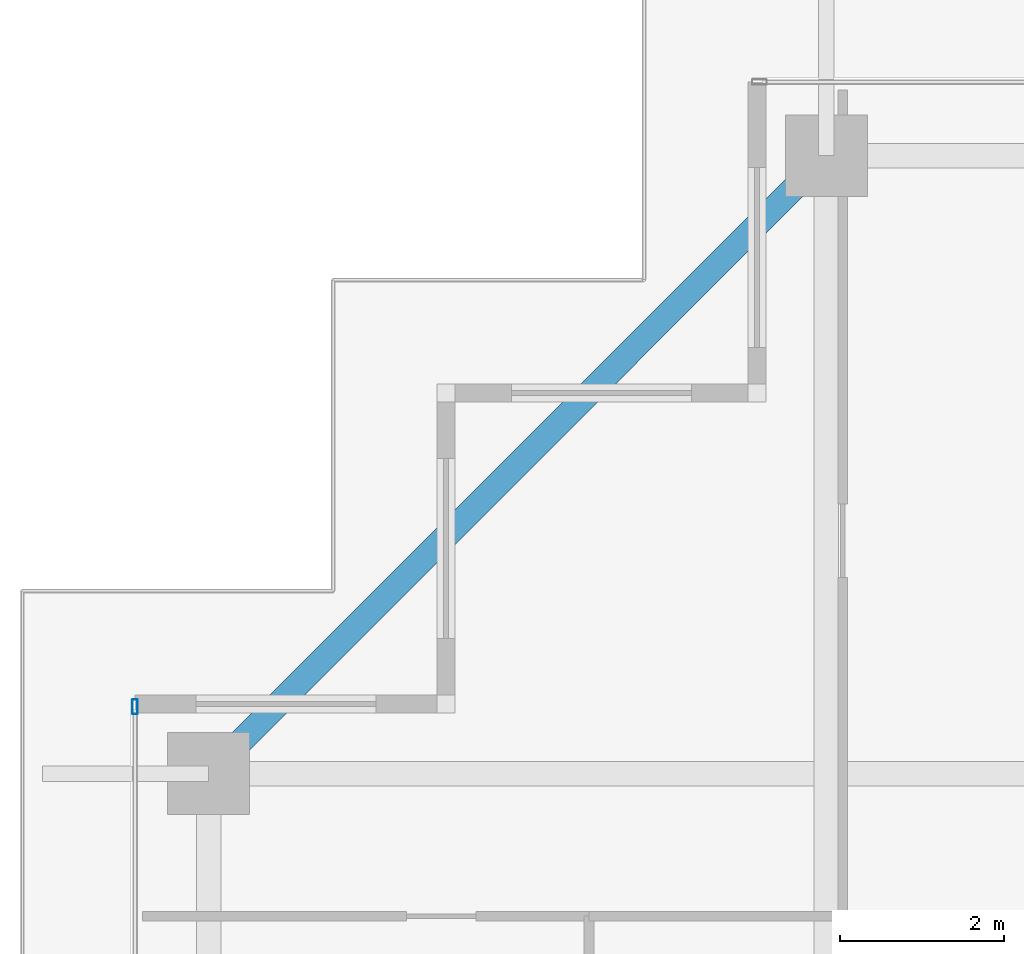
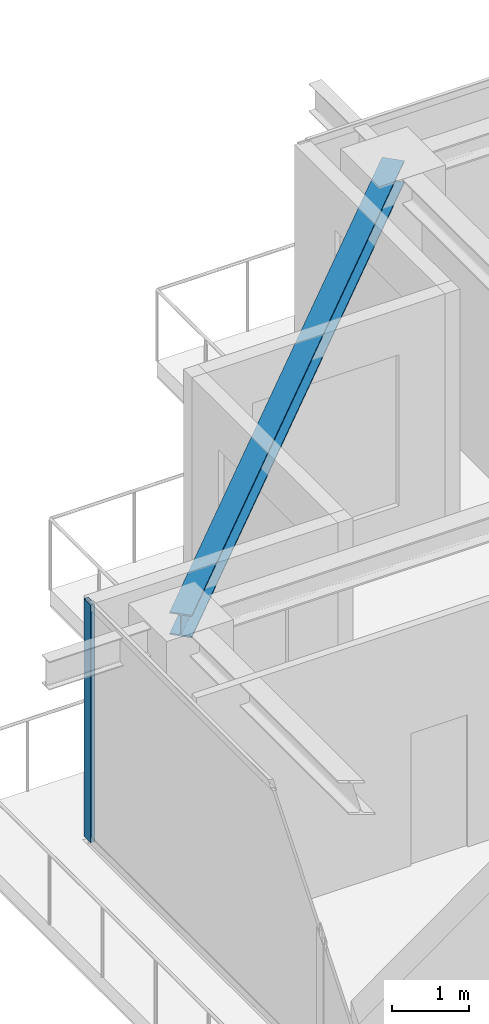
# One storey, part 21 of 42: 1 beam, 1 member, 1 element without a shape of its own.
"""IFC4 building model written with IfcOpenShell, lengths in metres."""

from ifc_helpers import new_model, si_unit, direction, frame, origin, origin_2d, place, context, subcontext, project, spatial, hollow_rectangle, i_section, extrude, source, transform, mapped, material, layer, layer_set, material_profile, profile_set, type_object, element, aggregate, save


model = new_model("IFC4")

# Units and contexts
model_context = context("Model", 3, precision=1e-05, world=origin(), true_north=direction((0.0, 1.0)))
body_context = subcontext(model_context, "Body", "Model", "MODEL_VIEW")
ifc_project = project(units=[si_unit("LENGTHUNIT", "METRE"), si_unit("AREAUNIT", "SQUARE_METRE"), si_unit("VOLUMEUNIT", "CUBIC_METRE"), si_unit("PLANEANGLEUNIT", "RADIAN"), si_unit("MASSUNIT", "GRAM", prefix="KILO")], contexts=[model_context])

# Site, building, storey
site_placement = place(None, origin())
site = spatial("IfcSite", under=ifc_project, at=site_placement, CompositionType="ELEMENT")
building_placement = place(site_placement, origin())
building = spatial("IfcBuilding", under=site, at=building_placement, Name="Serunith Strait Residences", CompositionType="ELEMENT")
storey_placement = place(building_placement, frame((0.0, 0.0, 293.449951171875)))
storey = spatial("IfcBuildingStorey", under=building, at=storey_placement, Name="L73", CompositionType="ELEMENT", Elevation=293.449951171875)

# Beam
ifc_material_1 = material(Name="Steel S355J2", Category="steel")
ifc_material_profile_1 = material_profile(ifc_material_1, i_section(OverallWidth=0.300048828125, OverallDepth=0.360107421875, WebThickness=0.012451171875, FlangeThickness=0.0224609375, FilletRadius=0.027099609375, at=origin_2d()), Name="HEB 360")
ifc_profile_set_1 = profile_set([ifc_material_profile_1], Name="Steel S355J2")
beam_type = type_object("IfcBeamType", Name="BM-HEB360", PredefinedType="BEAM", material=ifc_profile_set_1)
shared_shape_1 = source(origin(), body_context, "Body", "SweptSolid", [
    extrude(i_section(OverallWidth=0.300048828125, OverallDepth=0.360107421875, WebThickness=0.012451171875, FlangeThickness=0.0224609375, FilletRadius=0.027099609375, at=origin_2d()), origin(), (0.0, 0.0, 1.0), 10.67724609375),
])
beam_placement = place(storey_placement, frame((17.64990234375, 47.10009765625, 3.5771484375), z_axis=(-0.707095348302, -0.707118213887, 0.0), x_axis=(0.707118213887, -0.707095348302, 0.0)))
element("IfcBeam", 1, at=beam_placement, inside=storey, type_object=beam_type, Name="L73 Perimeter Ring Beam 12", PredefinedType="BEAM", context=body_context, shape_type="MappedRepresentation", body=[
    mapped(shared_shape_1, transform((0.0, 0.0, 0.0), scale=1.0)),
])

# Curtain wall, member
ifc_material_2 = material(Name="Brushed Stainless-Silver Aluminium", Category="aluminium")
ifc_layer = layer(ifc_material_2, 0.199951171875, Name="Brushed Stainless-Silver Aluminium")
ifc_layer_set = layer_set([ifc_layer], Name="Brushed Stainless-Silver Aluminium")
curtain_wall_type = type_object("IfcCurtainWallType", Name="CW-SYS5", PredefinedType="NOTDEFINED", material=ifc_layer_set)
curtain_wall_placement = place(storey_placement, origin())
curtain_wall = element("IfcCurtainWall", 2, at=curtain_wall_placement, inside=storey, type_object=curtain_wall_type, Name="L73 W Unitised Fritted Curtain Wall", PredefinedType="NOTDEFINED")
ifc_material_profile_2 = material_profile(ifc_material_2, hollow_rectangle(XDim=0.06494140625, YDim=0.179931640625, WallThickness=0.00341796875, InnerFilletRadius=0.00537109375, OuterFilletRadius=0.0087890625, at=origin_2d()), Name="ALU 180x65x3.5")
ifc_profile_set_2 = profile_set([ifc_material_profile_2], Name="Brushed Stainless-Silver Aluminium")
member_type = type_object("IfcMemberType", Name="CW-SYS5-MULL", PredefinedType="MULLION", material=ifc_profile_set_2)
shared_shape_2 = source(origin(), body_context, "Body", "SweptSolid", [
    extrude(hollow_rectangle(XDim=0.06494140625, YDim=0.179931640625, WallThickness=0.00341796875, InnerFilletRadius=0.00537109375, OuterFilletRadius=0.0087890625, at=origin_2d()), origin(), (0.0, 0.0, 1.0), 3.775146484375),
])
member_placement = place(storey_placement, frame((9.199951171875, 40.367431640625, 0.0), z_axis=(0.0, 0.0, 1.0), x_axis=(1.0, 0.0, 0.0)))
member = element("IfcMember", 3, at=member_placement, type_object=member_type, Name="CW-5 mullion 1", PredefinedType="MULLION", context=body_context, shape_type="MappedRepresentation", body=[
    mapped(shared_shape_2, transform((0.0, 0.0, 0.0), scale=1.0)),
])
aggregate(curtain_wall, [member])

save(model, "model.ifc")
